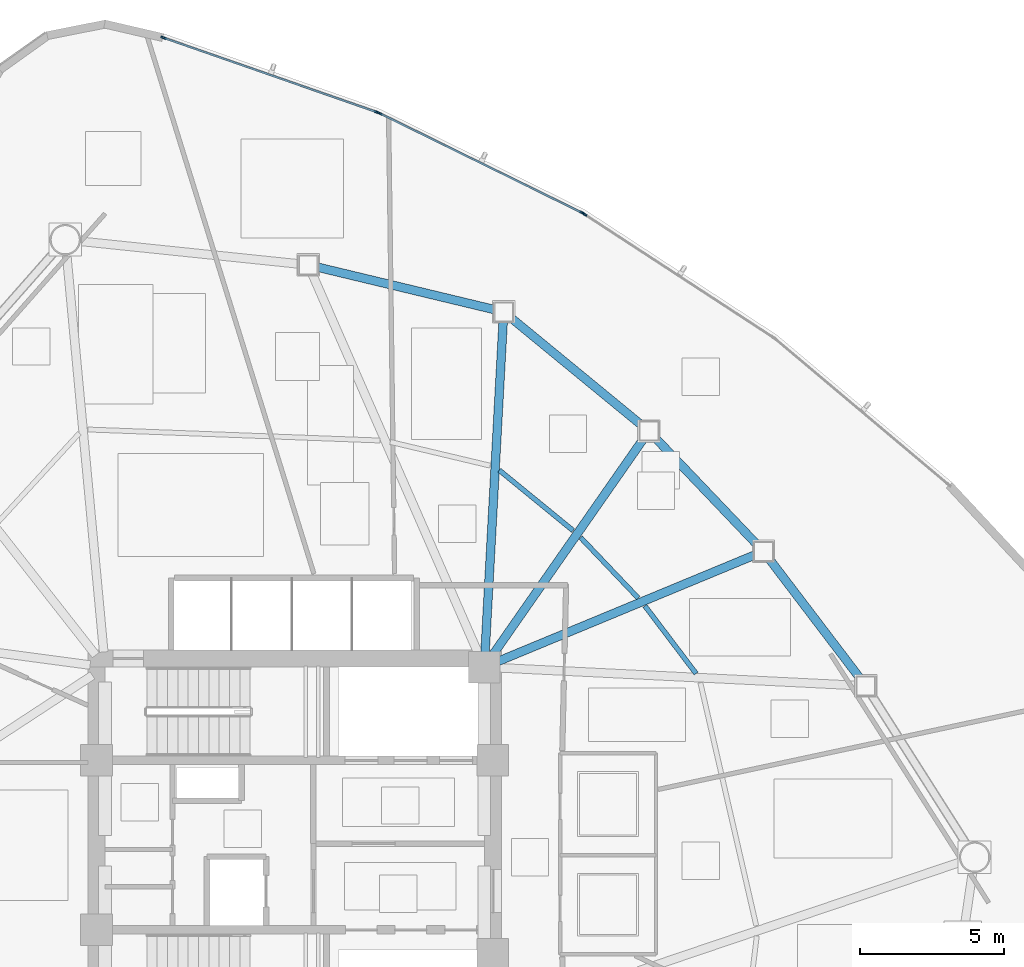
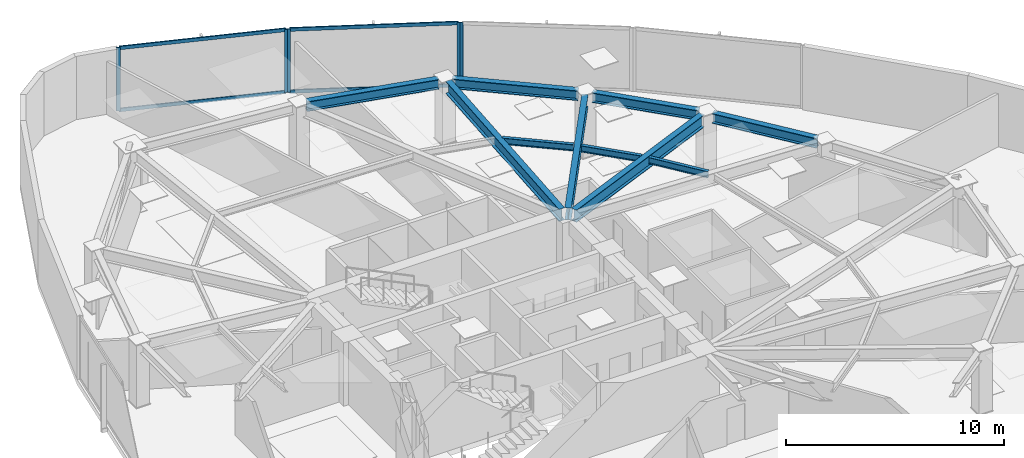
# One storey, part 8 of 17: 10 beams, 9 members, 3 elements without a shape of their own.
"""IFC4 building model written with IfcOpenShell, lengths in metres."""

from ifc_helpers import new_model, si_unit, direction, frame, origin, origin_2d, place, context, subcontext, project, spatial, hollow_rectangle, i_section, extrude, source, transform, mapped, material, layer, layer_set, material_profile, profile_set, type_object, type_shapes, element, aggregate, save


model = new_model("IFC4")

# Units and contexts
model_context = context("Model", 3, precision=1e-05, world=origin(), true_north=direction((0.0, 1.0)))
body_context = subcontext(model_context, "Body", "Model", "MODEL_VIEW")
ifc_project = project(units=[si_unit("LENGTHUNIT", "METRE"), si_unit("AREAUNIT", "SQUARE_METRE"), si_unit("VOLUMEUNIT", "CUBIC_METRE"), si_unit("PLANEANGLEUNIT", "RADIAN"), si_unit("MASSUNIT", "GRAM", prefix="KILO")], contexts=[model_context])

# Site, building, storey
site_placement = place(None, origin())
site = spatial("IfcSite", under=ifc_project, at=site_placement, CompositionType="ELEMENT")
building_placement = place(site_placement, origin())
building = spatial("IfcBuilding", under=site, at=building_placement, Name="Tavelor Broadcast Tower", CompositionType="ELEMENT")
storey_placement = place(building_placement, frame((0.0, 0.0, 131.0)))
storey = spatial("IfcBuildingStorey", under=building, at=storey_placement, Name="L30", CompositionType="ELEMENT", Elevation=131.0)

# Beams
ifc_material_1 = material(Name="Steel S355", Category="steel")
ifc_material_profile_1 = material_profile(ifc_material_1, i_section(OverallWidth=0.169921875, OverallDepth=0.360107421875, WebThickness=0.008056640625, FlangeThickness=0.0126953125, at=origin_2d()), Name="IPE 360")
ifc_profile_set_1 = profile_set([ifc_material_profile_1], Name="Steel S355")
beam_type_1 = type_object("IfcBeamType", Name="Composite Floor Joist T3 IPE 360", PredefinedType="JOIST", material=ifc_profile_set_1)
beam_1_placement = place(storey_placement, frame((63.97509765625, 50.974853515625, 3.3701171875), z_axis=(-0.603343158319, 0.797481682116, 0.0), x_axis=(-0.797481682116, -0.603343158319, 0.0)))
element("IfcBeam", 1, at=beam_1_placement, inside=storey, type_object=beam_type_1, Name="L30 Secondary Composite Floor Joist 14", PredefinedType="JOIST", context=body_context, shape_type="SweptSolid", body=[
    extrude(i_section(OverallWidth=0.169921875, OverallDepth=0.360107421875, WebThickness=0.008056640625, FlangeThickness=0.0126953125, at=origin_2d()), origin(), (0.0, 0.0, 1.0), 2.951416015625),
])
beam_2_placement = place(storey_placement, frame((61.960205078125, 53.60400390625, 3.3701171875), z_axis=(-0.689436692526, 0.724345944283, 0.0), x_axis=(-0.724345944283, -0.689436692526, 0.0)))
element("IfcBeam", 2, at=beam_2_placement, inside=storey, type_object=beam_type_1, Name="L30 Secondary Composite Floor Joist 15", PredefinedType="JOIST", context=body_context, shape_type="SweptSolid", body=[
    extrude(i_section(OverallWidth=0.169921875, OverallDepth=0.360107421875, WebThickness=0.008056640625, FlangeThickness=0.0126953125, at=origin_2d()), origin(), (0.0, 0.0, 1.0), 2.90234375),
])
beam_3_placement = place(storey_placement, frame((59.6943359375, 55.951904296875, 3.3701171875), z_axis=(-0.774130723206, 0.633025768345, 0.0), x_axis=(-0.633025768345, -0.774130723206, 0.0)))
element("IfcBeam", 3, at=beam_3_placement, inside=storey, type_object=beam_type_1, Name="L30 Secondary Composite Floor Joist 16", PredefinedType="JOIST", context=body_context, shape_type="SweptSolid", body=[
    extrude(i_section(OverallWidth=0.169921875, OverallDepth=0.360107421875, WebThickness=0.008056640625, FlangeThickness=0.0126953125, at=origin_2d()), origin(), (0.0, 0.0, 1.0), 3.32373046875),
])
ifc_material_profile_2 = material_profile(ifc_material_1, i_section(OverallWidth=0.300048828125, OverallDepth=0.550048828125, WebThickness=0.014892578125, FlangeThickness=0.029052734375, at=origin_2d()), Name="HEB 550")
ifc_profile_set_2 = profile_set([ifc_material_profile_2], Name="Steel S355")
beam_type_2 = type_object("IfcBeamType", Name="Perimeter Spandrel Beam T3 HEB 550", PredefinedType="SPANDREL", material=ifc_profile_set_2)
beam_4_placement = place(storey_placement, frame((69.6826171875, 50.8115234375, 3.27490234375), z_axis=(-0.605507005058, 0.795839975639, 0.0), x_axis=(-0.795839975639, -0.605507005058, 0.0)))
element("IfcBeam", 4, at=beam_4_placement, inside=storey, type_object=beam_type_2, Name="L30 Framed-Tube Ring Spandrel 14", PredefinedType="SPANDREL", context=body_context, shape_type="SweptSolid", body=[
    extrude(i_section(OverallWidth=0.300048828125, OverallDepth=0.550048828125, WebThickness=0.014892578125, FlangeThickness=0.029052734375, at=origin_2d()), origin(), (0.0, 0.0, 1.0), 5.214111328125),
])
beam_5_placement = place(storey_placement, frame((66.090087890625, 55.471923828125, 3.27490234375), z_axis=(-0.689928162502, 0.723877842309, 0.0), x_axis=(-0.723877842309, -0.689928162502, 0.0)))
element("IfcBeam", 5, at=beam_5_placement, inside=storey, type_object=beam_type_2, Name="L30 Framed-Tube Ring Spandrel 15", PredefinedType="SPANDREL", context=body_context, shape_type="SweptSolid", body=[
    extrude(i_section(OverallWidth=0.300048828125, OverallDepth=0.550048828125, WebThickness=0.014892578125, FlangeThickness=0.029052734375, at=origin_2d()), origin(), (0.0, 0.0, 1.0), 5.113037109375),
])
beam_6_placement = place(storey_placement, frame((62.0712890625, 59.62939453125, 3.27490234375), z_axis=(-0.772702936962, 0.634767808896, 0.0), x_axis=(-0.634767808896, -0.772702936962, 0.0)))
element("IfcBeam", 6, at=beam_6_placement, inside=storey, type_object=beam_type_2, Name="L30 Framed-Tube Ring Spandrel 16", PredefinedType="SPANDREL", context=body_context, shape_type="SweptSolid", body=[
    extrude(i_section(OverallWidth=0.300048828125, OverallDepth=0.550048828125, WebThickness=0.014892578125, FlangeThickness=0.029052734375, at=origin_2d()), origin(), (0.0, 0.0, 1.0), 5.869140625),
])
beam_7_placement = place(storey_placement, frame((56.949951171875, 63.64697265625, 3.27490234375), z_axis=(-0.972363823797, 0.233470756565, 0.0), x_axis=(-0.233470756565, -0.972363823797, 0.0)))
element("IfcBeam", 7, at=beam_7_placement, inside=storey, type_object=beam_type_2, Name="L30 Framed-Tube Ring Spandrel 17", PredefinedType="SPANDREL", context=body_context, shape_type="SweptSolid", body=[
    extrude(i_section(OverallWidth=0.300048828125, OverallDepth=0.550048828125, WebThickness=0.014892578125, FlangeThickness=0.029052734375, at=origin_2d()), origin(), (0.0, 0.0, 1.0), 6.325439453125),
])
ifc_material_profile_3 = material_profile(ifc_material_1, i_section(OverallWidth=0.300048828125, OverallDepth=0.68994140625, WebThickness=0.014404296875, FlangeThickness=0.027099609375, at=origin_2d()), Name="HEA 700")
ifc_profile_set_3 = profile_set([ifc_material_profile_3], Name="Steel S355")
beam_type_3 = type_object("IfcBeamType", Name="Radial Floor Girder T3 HEA 700", PredefinedType="BEAM", material=ifc_profile_set_3)
beam_8_placement = place(storey_placement, frame((57.087890625, 51.402099609375, 3.205078125), z_axis=(0.92381625254, 0.382836168018, 0.0), x_axis=(-0.382836168018, 0.92381625254, 0.0)))
element("IfcBeam", 8, at=beam_8_placement, inside=storey, type_object=beam_type_3, Name="L30 Radial Primary Floor Girder 15", PredefinedType="BEAM", context=body_context, shape_type="SweptSolid", body=[
    extrude(i_section(OverallWidth=0.300048828125, OverallDepth=0.68994140625, WebThickness=0.014404296875, FlangeThickness=0.027099609375, at=origin_2d()), origin(), (0.0, 0.0, 1.0), 9.659423828125),
])
beam_9_placement = place(storey_placement, frame((56.902099609375, 51.633056640625, 3.205078125), z_axis=(0.572088555537, 0.820191858423, 0.0), x_axis=(-0.820191858423, 0.572088555537, 0.0)))
element("IfcBeam", 9, at=beam_9_placement, inside=storey, type_object=beam_type_3, Name="L30 Radial Primary Floor Girder 16", PredefinedType="BEAM", context=body_context, shape_type="SweptSolid", body=[
    extrude(i_section(OverallWidth=0.300048828125, OverallDepth=0.68994140625, WebThickness=0.014404296875, FlangeThickness=0.027099609375, at=origin_2d()), origin(), (0.0, 0.0, 1.0), 9.1533203125),
])
beam_10_placement = place(storey_placement, frame((56.62890625, 51.727294921875, 3.205078125), z_axis=(0.054621583664, 0.998507126964, 0.0), x_axis=(-0.998507126964, 0.054621583664, 0.0)))
element("IfcBeam", 10, at=beam_10_placement, inside=storey, type_object=beam_type_3, Name="L30 Radial Primary Floor Girder 17", PredefinedType="BEAM", context=body_context, shape_type="SweptSolid", body=[
    extrude(i_section(OverallWidth=0.300048828125, OverallDepth=0.68994140625, WebThickness=0.014404296875, FlangeThickness=0.027099609375, at=origin_2d()), origin(), (0.0, 0.0, 1.0), 11.522705078125),
])

# Curtain wall, member
ifc_material_2 = material(Name="Architectural Anodized Aluminium", Category="aluminium")
ifc_layer = layer(ifc_material_2, 0.18994140625)
ifc_layer_set = layer_set([ifc_layer], Name="Architectural Anodized Aluminium")
curtain_wall_type = type_object("IfcCurtainWallType", Name="Tower Mid-Zone Acoustic Curtain Wall CW03", PredefinedType="NOTDEFINED", material=ifc_layer_set)
curtain_wall_1_placement = place(storey_placement, origin())
curtain_wall_1 = element("IfcCurtainWall", 11, at=curtain_wall_1_placement, inside=storey, type_object=curtain_wall_type, Name="L30 Curtain Wall CW03 Run 310", PredefinedType="NOTDEFINED")
ifc_material_profile_4 = material_profile(ifc_material_2, hollow_rectangle(XDim=0.068115234375, YDim=0.18994140625, WallThickness=0.02197265625, at=origin_2d()), Name="RHS 68x190x22")
ifc_profile_set_4 = profile_set([ifc_material_profile_4], Name="Architectural Anodized Aluminium")
member_type_1 = type_object("IfcMemberType", Name="CW03 Extruded Aluminium Mullion 68x190", PredefinedType="MULLION", material=ifc_profile_set_4)
shared_shape_1 = source(origin(), body_context, "Body", "SweptSolid", [
    extrude(hollow_rectangle(XDim=0.068115234375, YDim=0.18994140625, WallThickness=0.02197265625, at=origin_2d()), origin(), (0.0, 0.0, 1.0), 3.550048828125),
])
type_shapes(member_type_1, [shared_shape_1])
member_1_placement = place(storey_placement, frame((60.087890625, 66.968505859375, 0.0), z_axis=(0.0, 0.0, 1.0), x_axis=(-0.546462575039, -0.837483524663, 0.0)))
member_1 = element("IfcMember", 12, at=member_1_placement, type_object=member_type_1, Name="CW03 mullion 2", PredefinedType="MULLION", context=body_context, shape_type="MappedRepresentation", body=[
    mapped(shared_shape_1, transform((0.0, 0.0, 0.0), scale=1.0)),
])
aggregate(curtain_wall_1, [member_1])

# Curtain wall, members
curtain_wall_2_placement = place(storey_placement, origin())
curtain_wall_2 = element("IfcCurtainWall", 13, at=curtain_wall_2_placement, inside=storey, type_object=curtain_wall_type, Name="L30 Curtain Wall CW03 Run 311", PredefinedType="NOTDEFINED")
member_2_placement = place(storey_placement, frame((60.0029296875, 67.01708984375, 0.0), z_axis=(0.0, 0.0, 1.0), x_axis=(-0.441099553092, -0.897458179673, 0.0)))
member_2 = element("IfcMember", 14, at=member_2_placement, type_object=member_type_1, Name="CW03 mullion 1", PredefinedType="MULLION", context=body_context, shape_type="MappedRepresentation", body=[
    mapped(shared_shape_1, transform((0.0, 0.0, 0.0), scale=1.0)),
])
member_3_placement = place(storey_placement, frame((52.953369140625, 70.48193359375, 0.0), z_axis=(0.0, 0.0, 1.0), x_axis=(-0.441099553092, -0.897458179673, 0.0)))
member_3 = element("IfcMember", 15, at=member_3_placement, type_object=member_type_1, Name="CW03 mullion 2", PredefinedType="MULLION", context=body_context, shape_type="MappedRepresentation", body=[
    mapped(shared_shape_1, transform((0.0, 0.0, 0.0), scale=1.0)),
])

curtain_wall_3_placement = place(storey_placement, origin())
curtain_wall_3 = element("IfcCurtainWall", 16, at=curtain_wall_3_placement, inside=storey, type_object=curtain_wall_type, Name="L30 Curtain Wall CW03 Run 312", PredefinedType="NOTDEFINED")
member_4_placement = place(storey_placement, frame((52.863037109375, 70.51953125, 0.0), z_axis=(0.0, 0.0, 1.0), x_axis=(-0.329257248025, -0.944240257892, 0.0)))
member_4 = element("IfcMember", 17, at=member_4_placement, type_object=member_type_1, Name="CW03 mullion 1", PredefinedType="MULLION", context=body_context, shape_type="MappedRepresentation", body=[
    mapped(shared_shape_1, transform((0.0, 0.0, 0.0), scale=1.0)),
])
member_5_placement = place(storey_placement, frame((45.430908203125, 73.111083984375, 0.0), z_axis=(0.0, 0.0, 1.0), x_axis=(-0.329257248025, -0.944240257892, 0.0)))
member_5 = element("IfcMember", 18, at=member_5_placement, type_object=member_type_1, Name="CW03 mullion 2", PredefinedType="MULLION", context=body_context, shape_type="MappedRepresentation", body=[
    mapped(shared_shape_1, transform((0.0, 0.0, 0.0), scale=1.0)),
])

# Member
ifc_material_profile_5 = material_profile(ifc_material_2, hollow_rectangle(XDim=0.068115234375, YDim=0.18994140625, WallThickness=0.02197265625, at=origin_2d()), Name="RHS 68x190x22")
ifc_profile_set_5 = profile_set([ifc_material_profile_5], Name="Architectural Anodized Aluminium")
member_type_2 = type_object("IfcMemberType", Name="CW03 Extruded Aluminium Transom 68x190", PredefinedType="USERDEFINED", material=ifc_profile_set_5)
shared_shape_2 = source(origin(), body_context, "Body", "SweptSolid", [
    extrude(hollow_rectangle(XDim=0.068115234375, YDim=0.18994140625, WallThickness=0.02197265625, at=origin_2d()), origin(), (0.0, 0.0, 1.0), 7.787109375),
])
member_6_placement = place(storey_placement, frame((59.972412109375, 67.031982421875, 0.033935546875), z_axis=(-0.897460054632, 0.441095738292, 0.0), x_axis=(-0.441095738292, -0.897460054632, 0.0)))
member_6 = element("IfcMember", 19, at=member_6_placement, type_object=member_type_2, Name="CW03 transom 1.1", ObjectType="TRANSOM", PredefinedType="USERDEFINED", context=body_context, shape_type="MappedRepresentation", body=[
    mapped(shared_shape_2, transform((0.0, 0.0, 0.0), scale=1.0)),
])

member_7_placement = place(storey_placement, frame((59.972412109375, 67.031982421875, 3.51611328125), z_axis=(-0.897460054632, 0.441095738292, 0.0), x_axis=(-0.441095738292, -0.897460054632, 0.0)))
member_7 = element("IfcMember", 20, at=member_7_placement, type_object=member_type_2, Name="CW03 transom 1.2", ObjectType="TRANSOM", PredefinedType="USERDEFINED", context=body_context, shape_type="MappedRepresentation", body=[
    mapped(shared_shape_2, transform((0.0, 0.0, 0.0), scale=1.0)),
])

aggregate(curtain_wall_2, [member_2, member_3, member_6, member_7])

shared_shape_3 = source(origin(), body_context, "Body", "SweptSolid", [
    extrude(hollow_rectangle(XDim=0.068115234375, YDim=0.18994140625, WallThickness=0.02197265625, at=origin_2d()), origin(), (0.0, 0.0, 1.0), 7.80322265625),
])
type_shapes(member_type_2, [shared_shape_2, shared_shape_3])
member_8_placement = place(storey_placement, frame((52.8310546875, 70.53076171875, 0.033935546875), z_axis=(-0.94423819008, 0.329263178012, 0.0), x_axis=(-0.329263178012, -0.94423819008, 0.0)))
member_8 = element("IfcMember", 21, at=member_8_placement, type_object=member_type_2, Name="CW03 transom 1.1", ObjectType="TRANSOM", PredefinedType="USERDEFINED", context=body_context, shape_type="MappedRepresentation", body=[
    mapped(shared_shape_3, transform((0.0, 0.0, 0.0), scale=1.0)),
])

member_9_placement = place(storey_placement, frame((52.8310546875, 70.53076171875, 3.51611328125), z_axis=(-0.94423819008, 0.329263178012, 0.0), x_axis=(-0.329263178012, -0.94423819008, 0.0)))
member_9 = element("IfcMember", 22, at=member_9_placement, type_object=member_type_2, Name="CW03 transom 1.2", ObjectType="TRANSOM", PredefinedType="USERDEFINED", context=body_context, shape_type="MappedRepresentation", body=[
    mapped(shared_shape_3, transform((0.0, 0.0, 0.0), scale=1.0)),
])

aggregate(curtain_wall_3, [member_4, member_5, member_8, member_9])

save(model, "model.ifc")
